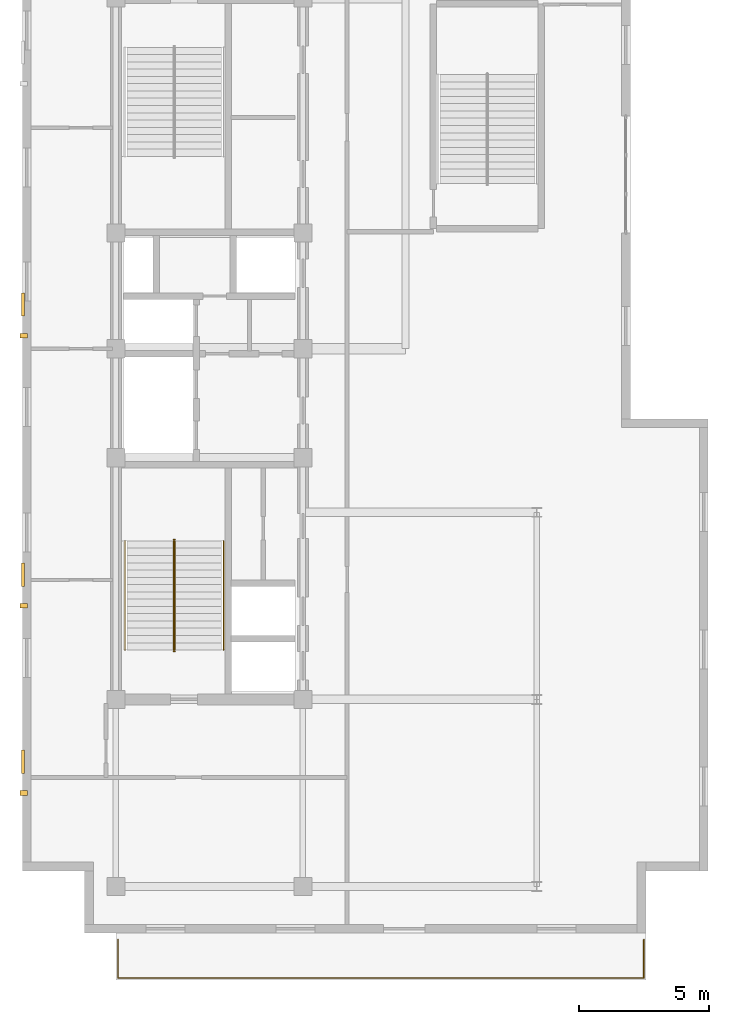
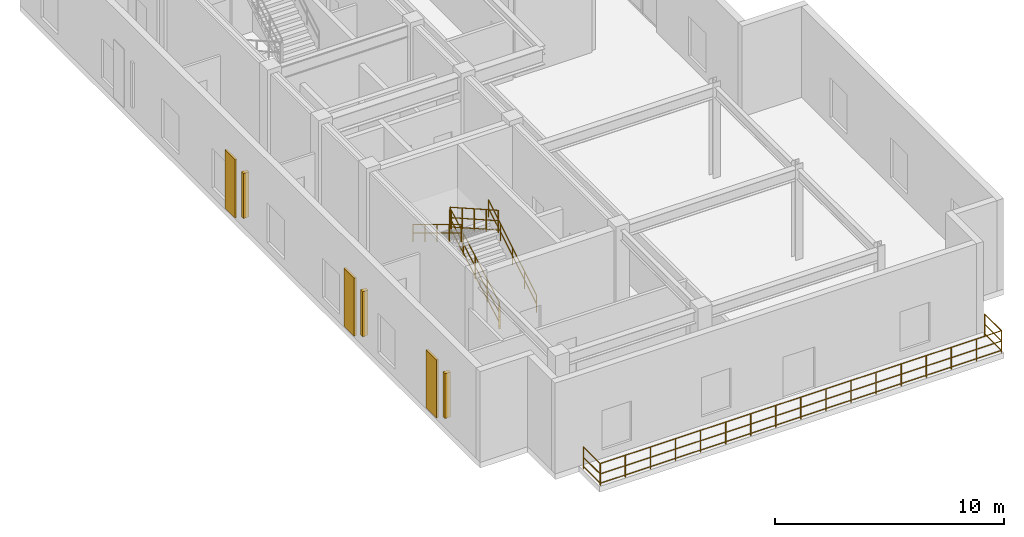
# One storey, part 9 of 10: 9 railings, 3 coverings, 3 shading devices.
"""IFC4 building model written with IfcOpenShell, lengths in metres."""

from ifc_helpers import new_model, entity, si_unit, converted_unit, direction, frame, origin_with_axes, origin_2d_with_axis, place, context, subcontext, project, spatial, rectangle, circle, extrude, material, layer, layer_set, type_object, element, save


model = new_model("IFC4")

# Units and contexts
model_context = context("Model", 3, precision=1e-05, world=origin_with_axes(), true_north=direction((0.0, 1.0)))
body_context = subcontext(model_context, "Body", "Model", "MODEL_VIEW")
ifc_project = project(units=[si_unit("LENGTHUNIT", "METRE"), si_unit("AREAUNIT", "SQUARE_METRE"), si_unit("VOLUMEUNIT", "CUBIC_METRE"), converted_unit("PLANEANGLEUNIT", "DEGREE", entity("IfcPlaneAngleMeasure", 0.017453292519943295), si_unit("PLANEANGLEUNIT", "RADIAN"), dimensions=[0, 0, 0, 0, 0, 0, 0]), si_unit("MASSUNIT", "GRAM", prefix="KILO"), si_unit("THERMODYNAMICTEMPERATUREUNIT", "KELVIN")], contexts=[model_context])

# Site, building, storey
site_placement = place(None, origin_with_axes())
site = spatial("IfcSite", under=ifc_project, at=site_placement, CompositionType="ELEMENT")
building_placement = place(site_placement, origin_with_axes())
building = spatial("IfcBuilding", under=site, at=building_placement, Name="Varnlund Millrace Tower", CompositionType="ELEMENT")
storey_placement = place(building_placement, frame((0.0, 0.0, 303.6), z_axis=(0.0, 0.0, 1.0), x_axis=(1.0, 0.0, 0.0)))
storey = spatial("IfcBuildingStorey", under=building, at=storey_placement, Name="L75", CompositionType="ELEMENT", Elevation=303.6)

# Coverings
ifc_material_1 = material(Name="Precast concrete C50/60", Category="concrete")
ifc_layer = layer(ifc_material_1, 0.11, Name="Precast concrete C50/60")
ifc_layer_set = layer_set([ifc_layer], Name="Precast concrete C50/60")
covering_type = type_object("IfcCoveringType", Name="Type-Cladding-KasotaPier-110", PredefinedType="CLADDING", material=ifc_layer_set)
for number, where, z_axis, x_axis, name in (
    (1, (7.82, 8.4, 0.1), (0.0, 0.0, 1.0), (1.0, 0.0, 0.0), "Type-Cladding-KasotaPier-110"),
    (2, (7.82, 15.6, 0.1), (0.0, 0.0, 1.0), (1.0, 0.0, 0.0), "Type-Cladding-KasotaPier-110"),
    (3, (7.82, 26.0, 0.1), (0.0, 0.0, 1.0), (1.0, 0.0, 0.0), "Type-Cladding-KasotaPier-110"),
):
    element("IfcCovering", number, at=place(storey_placement, frame(where, z_axis=z_axis, x_axis=x_axis)), inside=storey, type_object=covering_type, Name=name, PredefinedType="CLADDING", context=body_context, shape_type="SweptSolid", body=[
        extrude(rectangle(XDim=0.11, YDim=0.9, at=origin_2d_with_axis()), origin_with_axes(), (0.0, 0.0, 1.0), 3.1),
    ])

# Railings
ifc_material_2 = material(Name="Architectural bronze balustrade guard", Category="aluminium")
railing_type_1 = type_object("IfcRailingType", Name="Type-Guard-Perimeter-1150", PredefinedType="BALUSTRADE", material=ifc_material_2)
railing_1_placement = place(storey_placement, frame((0.0, 0.0, -303.6), z_axis=(0.0, 0.0, 1.0), x_axis=(1.0, 0.0, 0.0)))
element("IfcRailing", 4, at=railing_1_placement, inside=storey, type_object=railing_type_1, Name="Type-Guard-Perimeter-1150", PredefinedType="BALUSTRADE", context=body_context, shape_type="SweptSolid", body=[
    extrude(circle(Radius=0.024, at=origin_2d_with_axis()), frame((31.72, 0.08, 304.75), z_axis=(0.0, 1.0, 0.0), x_axis=(-1.0, 0.0, 0.0)), (0.0, 0.0, 1.0), 1.47),
    extrude(circle(Radius=0.024, at=origin_2d_with_axis()), frame((31.72, 0.08, 303.7), z_axis=(0.0, 1.0, 0.0), x_axis=(-1.0, 0.0, 0.0)), (0.0, 0.0, 1.0), 1.47),
    extrude(circle(Radius=0.024, at=origin_2d_with_axis()), frame((31.72, 0.08, 304.198), z_axis=(0.0, 1.0, 0.0), x_axis=(-1.0, 0.0, 0.0)), (0.0, 0.0, 1.0), 1.47),
    extrude(rectangle(XDim=0.04, YDim=0.04, at=origin_2d_with_axis()), frame((31.72, 0.08, 303.56), z_axis=(0.0, 0.0, 1.0), x_axis=(1.0, 0.0, 0.0)), (0.0, 0.0, 1.0), 1.19),
    extrude(rectangle(XDim=0.04, YDim=0.04, at=origin_2d_with_axis()), frame((31.72, 1.55, 303.56), z_axis=(0.0, 0.0, 1.0), x_axis=(1.0, 0.0, 0.0)), (0.0, 0.0, 1.0), 1.19),
])
railing_2_placement = place(storey_placement, frame((0.0, 0.0, -303.6), z_axis=(0.0, 0.0, 1.0), x_axis=(1.0, 0.0, 0.0)))
element("IfcRailing", 5, at=railing_2_placement, inside=storey, type_object=railing_type_1, Name="Type-Guard-Perimeter-1150", PredefinedType="BALUSTRADE", context=body_context, shape_type="SweptSolid", body=[
    extrude(circle(Radius=0.024, at=origin_2d_with_axis()), frame((11.48, 1.55, 304.75), z_axis=(0.0, -1.0, 0.0), x_axis=(1.0, 0.0, 0.0)), (0.0, 0.0, 1.0), 1.47),
    extrude(circle(Radius=0.024, at=origin_2d_with_axis()), frame((11.48, 1.55, 303.7), z_axis=(0.0, -1.0, 0.0), x_axis=(1.0, 0.0, 0.0)), (0.0, 0.0, 1.0), 1.47),
    extrude(circle(Radius=0.024, at=origin_2d_with_axis()), frame((11.48, 1.55, 304.198), z_axis=(0.0, -1.0, 0.0), x_axis=(1.0, 0.0, 0.0)), (0.0, 0.0, 1.0), 1.47),
    extrude(rectangle(XDim=0.04, YDim=0.04, at=origin_2d_with_axis()), frame((11.48, 1.55, 303.56), z_axis=(0.0, 0.0, 1.0), x_axis=(1.0, 0.0, 0.0)), (0.0, 0.0, 1.0), 1.19),
    extrude(rectangle(XDim=0.04, YDim=0.04, at=origin_2d_with_axis()), frame((11.48, 0.08, 303.56), z_axis=(0.0, 0.0, 1.0), x_axis=(1.0, 0.0, 0.0)), (0.0, 0.0, 1.0), 1.19),
])
railing_3_placement = place(storey_placement, frame((0.0, 0.0, -303.6), z_axis=(0.0, 0.0, 1.0), x_axis=(1.0, 0.0, 0.0)))
element("IfcRailing", 6, at=railing_3_placement, inside=storey, type_object=railing_type_1, Name="Type-Guard-Perimeter-1150", PredefinedType="BALUSTRADE", context=body_context, shape_type="SweptSolid", body=[
    extrude(circle(Radius=0.024, at=origin_2d_with_axis()), frame((11.48, 0.08, 304.75), z_axis=(1.0, 0.0, 0.0), x_axis=(0.0, 1.0, 0.0)), (0.0, 0.0, 1.0), 20.24),
    extrude(circle(Radius=0.024, at=origin_2d_with_axis()), frame((11.48, 0.08, 303.7), z_axis=(1.0, 0.0, 0.0), x_axis=(0.0, 1.0, 0.0)), (0.0, 0.0, 1.0), 20.24),
    extrude(circle(Radius=0.024, at=origin_2d_with_axis()), frame((11.48, 0.08, 304.198), z_axis=(1.0, 0.0, 0.0), x_axis=(0.0, 1.0, 0.0)), (0.0, 0.0, 1.0), 20.24),
    extrude(rectangle(XDim=0.04, YDim=0.04, at=origin_2d_with_axis()), frame((11.48, 0.08, 303.56), z_axis=(0.0, 0.0, 1.0), x_axis=(1.0, 0.0, 0.0)), (0.0, 0.0, 1.0), 1.19),
    extrude(rectangle(XDim=0.04, YDim=0.04, at=origin_2d_with_axis()), frame((12.745, 0.08, 303.56), z_axis=(0.0, 0.0, 1.0), x_axis=(1.0, 0.0, 0.0)), (0.0, 0.0, 1.0), 1.19),
    extrude(rectangle(XDim=0.04, YDim=0.04, at=origin_2d_with_axis()), frame((14.01, 0.08, 303.56), z_axis=(0.0, 0.0, 1.0), x_axis=(1.0, 0.0, 0.0)), (0.0, 0.0, 1.0), 1.19),
    extrude(rectangle(XDim=0.04, YDim=0.04, at=origin_2d_with_axis()), frame((15.275, 0.08, 303.56), z_axis=(0.0, 0.0, 1.0), x_axis=(1.0, 0.0, 0.0)), (0.0, 0.0, 1.0), 1.19),
    extrude(rectangle(XDim=0.04, YDim=0.04, at=origin_2d_with_axis()), frame((16.54, 0.08, 303.56), z_axis=(0.0, 0.0, 1.0), x_axis=(1.0, 0.0, 0.0)), (0.0, 0.0, 1.0), 1.19),
    extrude(rectangle(XDim=0.04, YDim=0.04, at=origin_2d_with_axis()), frame((17.805, 0.08, 303.56), z_axis=(0.0, 0.0, 1.0), x_axis=(1.0, 0.0, 0.0)), (0.0, 0.0, 1.0), 1.19),
    extrude(rectangle(XDim=0.04, YDim=0.04, at=origin_2d_with_axis()), frame((19.07, 0.08, 303.56), z_axis=(0.0, 0.0, 1.0), x_axis=(1.0, 0.0, 0.0)), (0.0, 0.0, 1.0), 1.19),
    extrude(rectangle(XDim=0.04, YDim=0.04, at=origin_2d_with_axis()), frame((20.335, 0.08, 303.56), z_axis=(0.0, 0.0, 1.0), x_axis=(1.0, 0.0, 0.0)), (0.0, 0.0, 1.0), 1.19),
    extrude(rectangle(XDim=0.04, YDim=0.04, at=origin_2d_with_axis()), frame((21.6, 0.08, 303.56), z_axis=(0.0, 0.0, 1.0), x_axis=(1.0, 0.0, 0.0)), (0.0, 0.0, 1.0), 1.19),
    extrude(rectangle(XDim=0.04, YDim=0.04, at=origin_2d_with_axis()), frame((22.865, 0.08, 303.56), z_axis=(0.0, 0.0, 1.0), x_axis=(1.0, 0.0, 0.0)), (0.0, 0.0, 1.0), 1.19),
    extrude(rectangle(XDim=0.04, YDim=0.04, at=origin_2d_with_axis()), frame((24.13, 0.08, 303.56), z_axis=(0.0, 0.0, 1.0), x_axis=(1.0, 0.0, 0.0)), (0.0, 0.0, 1.0), 1.19),
    extrude(rectangle(XDim=0.04, YDim=0.04, at=origin_2d_with_axis()), frame((25.395, 0.08, 303.56), z_axis=(0.0, 0.0, 1.0), x_axis=(1.0, 0.0, 0.0)), (0.0, 0.0, 1.0), 1.19),
    extrude(rectangle(XDim=0.04, YDim=0.04, at=origin_2d_with_axis()), frame((26.66, 0.08, 303.56), z_axis=(0.0, 0.0, 1.0), x_axis=(1.0, 0.0, 0.0)), (0.0, 0.0, 1.0), 1.19),
    extrude(rectangle(XDim=0.04, YDim=0.04, at=origin_2d_with_axis()), frame((27.925, 0.08, 303.56), z_axis=(0.0, 0.0, 1.0), x_axis=(1.0, 0.0, 0.0)), (0.0, 0.0, 1.0), 1.19),
    extrude(rectangle(XDim=0.04, YDim=0.04, at=origin_2d_with_axis()), frame((29.19, 0.08, 303.56), z_axis=(0.0, 0.0, 1.0), x_axis=(1.0, 0.0, 0.0)), (0.0, 0.0, 1.0), 1.19),
    extrude(rectangle(XDim=0.04, YDim=0.04, at=origin_2d_with_axis()), frame((30.455, 0.08, 303.56), z_axis=(0.0, 0.0, 1.0), x_axis=(1.0, 0.0, 0.0)), (0.0, 0.0, 1.0), 1.19),
    extrude(rectangle(XDim=0.04, YDim=0.04, at=origin_2d_with_axis()), frame((31.72, 0.08, 303.56), z_axis=(0.0, 0.0, 1.0), x_axis=(1.0, 0.0, 0.0)), (0.0, 0.0, 1.0), 1.19),
])

# Shading devices
ifc_material_3 = material(Name="Architectural bronze fluted spandrel fin", Category="aluminium")
shading_device_type = type_object("IfcShadingDeviceType", Name="Type-Shade-ArtDecoFin", PredefinedType="USERDEFINED", material=ifc_material_3)
for number, where, z_axis, x_axis, name in (
    (7, (7.85, 7.2, 0.6), (0.0, 0.0, 1.0), (1.0, 0.0, 0.0), "Type-Shade-ArtDecoFin"),
    (8, (7.85, 14.4, 0.6), (0.0, 0.0, 1.0), (1.0, 0.0, 0.0), "Type-Shade-ArtDecoFin"),
    (9, (7.85, 24.8, 0.6), (0.0, 0.0, 1.0), (1.0, 0.0, 0.0), "Type-Shade-ArtDecoFin"),
):
    element("IfcShadingDevice", number, at=place(storey_placement, frame(where, z_axis=z_axis, x_axis=x_axis)), inside=storey, type_object=shading_device_type, Name=name, ObjectType="FIN", PredefinedType="USERDEFINED", context=body_context, shape_type="SweptSolid", body=[
        extrude(rectangle(XDim=0.28, YDim=0.18, at=origin_2d_with_axis()), origin_with_axes(), (0.0, 0.0, 1.0), 2.4),
    ])

# Railings
ifc_material_4 = material(Name="Painted steel stair well balustrade guard", Category="steel")
railing_type_2 = type_object("IfcRailingType", Name="Type-StairGuard-1150", PredefinedType="GUARDRAIL", material=ifc_material_4)
railing_4_placement = place(storey_placement, frame((0.0, 0.0, -303.6), z_axis=(0.0, 0.0, 1.0), x_axis=(1.0, 0.0, 0.0)))
element("IfcRailing", 10, at=railing_4_placement, inside=storey, type_object=railing_type_2, Name="Type-StairGuard-1150", PredefinedType="GUARDRAIL", context=body_context, shape_type="SweptSolid", body=[
    extrude(circle(Radius=0.024, at=origin_2d_with_axis()), frame((13.675, 12.7, 304.92), z_axis=(0.0, 0.870022, 0.493013), x_axis=(-1.0, 0.0, 0.0)), (0.0, 0.0, 1.0), 4.827463),
    extrude(circle(Radius=0.024, at=origin_2d_with_axis()), frame((13.675, 12.7, 303.87), z_axis=(0.0, 0.870022, 0.493013), x_axis=(-1.0, 0.0, 0.0)), (0.0, 0.0, 1.0), 4.827463),
    extrude(circle(Radius=0.024, at=origin_2d_with_axis()), frame((13.675, 12.7, 304.368), z_axis=(0.0, 0.870022, 0.493013), x_axis=(-1.0, 0.0, 0.0)), (0.0, 0.0, 1.0), 4.827463),
    extrude(rectangle(XDim=0.04, YDim=0.04, at=origin_2d_with_axis()), frame((13.675, 12.7, 303.73), z_axis=(0.0, 0.0, 1.0), x_axis=(1.0, 0.0, 0.0)), (0.0, 0.0, 1.0), 1.19),
    extrude(rectangle(XDim=0.04, YDim=0.04, at=origin_2d_with_axis()), frame((13.675, 13.75, 304.325), z_axis=(0.0, 0.0, 1.0), x_axis=(1.0, 0.0, 0.0)), (0.0, 0.0, 1.0), 1.19),
    extrude(rectangle(XDim=0.04, YDim=0.04, at=origin_2d_with_axis()), frame((13.675, 14.8, 304.92), z_axis=(0.0, 0.0, 1.0), x_axis=(1.0, 0.0, 0.0)), (0.0, 0.0, 1.0), 1.19),
    extrude(rectangle(XDim=0.04, YDim=0.04, at=origin_2d_with_axis()), frame((13.675, 15.85, 305.515), z_axis=(0.0, 0.0, 1.0), x_axis=(1.0, 0.0, 0.0)), (0.0, 0.0, 1.0), 1.19),
    extrude(rectangle(XDim=0.04, YDim=0.04, at=origin_2d_with_axis()), frame((13.675, 16.9, 306.11), z_axis=(0.0, 0.0, 1.0), x_axis=(1.0, 0.0, 0.0)), (0.0, 0.0, 1.0), 1.19),
])
railing_5_placement = place(storey_placement, frame((0.0, 0.0, -303.6), z_axis=(0.0, 0.0, 1.0), x_axis=(1.0, 0.0, 0.0)))
element("IfcRailing", 11, at=railing_5_placement, inside=storey, type_object=railing_type_2, Name="Type-StairGuard-1150", PredefinedType="GUARDRAIL", context=body_context, shape_type="SweptSolid", body=[
    extrude(circle(Radius=0.024, at=origin_2d_with_axis()), frame((13.625, 16.95, 307.3), z_axis=(1.0, 0.0, 0.0), x_axis=(0.0, 1.0, 0.0)), (0.0, 0.0, 1.0), 0.05),
    extrude(circle(Radius=0.024, at=origin_2d_with_axis()), frame((13.625, 16.95, 306.25), z_axis=(1.0, 0.0, 0.0), x_axis=(0.0, 1.0, 0.0)), (0.0, 0.0, 1.0), 0.05),
    extrude(circle(Radius=0.024, at=origin_2d_with_axis()), frame((13.625, 16.95, 306.748), z_axis=(1.0, 0.0, 0.0), x_axis=(0.0, 1.0, 0.0)), (0.0, 0.0, 1.0), 0.05),
    extrude(rectangle(XDim=0.04, YDim=0.04, at=origin_2d_with_axis()), frame((13.625, 16.95, 306.11), z_axis=(0.0, 0.0, 1.0), x_axis=(1.0, 0.0, 0.0)), (0.0, 0.0, 1.0), 1.19),
    extrude(rectangle(XDim=0.04, YDim=0.04, at=origin_2d_with_axis()), frame((13.675, 16.95, 306.11), z_axis=(0.0, 0.0, 1.0), x_axis=(1.0, 0.0, 0.0)), (0.0, 0.0, 1.0), 1.19),
])
railing_6_placement = place(storey_placement, frame((0.0, 0.0, -303.6), z_axis=(0.0, 0.0, 1.0), x_axis=(1.0, 0.0, 0.0)))
element("IfcRailing", 12, at=railing_6_placement, inside=storey, type_object=railing_type_2, Name="Type-StairGuard-1150", PredefinedType="GUARDRAIL", context=body_context, shape_type="SweptSolid", body=[
    extrude(circle(Radius=0.024, at=origin_2d_with_axis()), frame((13.625, 16.9, 307.47), z_axis=(0.0, -0.870022, 0.493013), x_axis=(1.0, 0.0, 0.0)), (0.0, 0.0, 1.0), 4.827463),
    extrude(circle(Radius=0.024, at=origin_2d_with_axis()), frame((13.625, 16.9, 306.42), z_axis=(0.0, -0.870022, 0.493013), x_axis=(1.0, 0.0, 0.0)), (0.0, 0.0, 1.0), 4.827463),
    extrude(circle(Radius=0.024, at=origin_2d_with_axis()), frame((13.625, 16.9, 306.918), z_axis=(0.0, -0.870022, 0.493013), x_axis=(1.0, 0.0, 0.0)), (0.0, 0.0, 1.0), 4.827463),
    extrude(rectangle(XDim=0.04, YDim=0.04, at=origin_2d_with_axis()), frame((13.625, 16.9, 306.28), z_axis=(0.0, 0.0, 1.0), x_axis=(1.0, 0.0, 0.0)), (0.0, 0.0, 1.0), 1.19),
    extrude(rectangle(XDim=0.04, YDim=0.04, at=origin_2d_with_axis()), frame((13.625, 15.85, 306.875), z_axis=(0.0, 0.0, 1.0), x_axis=(1.0, 0.0, 0.0)), (0.0, 0.0, 1.0), 1.19),
    extrude(rectangle(XDim=0.04, YDim=0.04, at=origin_2d_with_axis()), frame((13.625, 14.8, 307.47), z_axis=(0.0, 0.0, 1.0), x_axis=(1.0, 0.0, 0.0)), (0.0, 0.0, 1.0), 1.19),
    extrude(rectangle(XDim=0.04, YDim=0.04, at=origin_2d_with_axis()), frame((13.625, 13.75, 308.065), z_axis=(0.0, 0.0, 1.0), x_axis=(1.0, 0.0, 0.0)), (0.0, 0.0, 1.0), 1.19),
    extrude(rectangle(XDim=0.04, YDim=0.04, at=origin_2d_with_axis()), frame((13.625, 12.7, 308.66), z_axis=(0.0, 0.0, 1.0), x_axis=(1.0, 0.0, 0.0)), (0.0, 0.0, 1.0), 1.19),
])
railing_7_placement = place(storey_placement, frame((0.0, 0.0, -303.6), z_axis=(0.0, 0.0, 1.0), x_axis=(1.0, 0.0, 0.0)))
element("IfcRailing", 13, at=railing_7_placement, inside=storey, type_object=railing_type_2, Name="Type-StairGuard-1150", PredefinedType="GUARDRAIL", context=body_context, shape_type="SweptSolid", body=[
    extrude(circle(Radius=0.024, at=origin_2d_with_axis()), frame((13.625, 12.65, 304.75), z_axis=(1.0, 0.0, 0.0), x_axis=(0.0, 1.0, 0.0)), (0.0, 0.0, 1.0), 0.05),
    extrude(circle(Radius=0.024, at=origin_2d_with_axis()), frame((13.625, 12.65, 303.7), z_axis=(1.0, 0.0, 0.0), x_axis=(0.0, 1.0, 0.0)), (0.0, 0.0, 1.0), 0.05),
    extrude(circle(Radius=0.024, at=origin_2d_with_axis()), frame((13.625, 12.65, 304.198), z_axis=(1.0, 0.0, 0.0), x_axis=(0.0, 1.0, 0.0)), (0.0, 0.0, 1.0), 0.05),
    extrude(rectangle(XDim=0.04, YDim=0.04, at=origin_2d_with_axis()), frame((13.625, 12.65, 303.56), z_axis=(0.0, 0.0, 1.0), x_axis=(1.0, 0.0, 0.0)), (0.0, 0.0, 1.0), 1.19),
    extrude(rectangle(XDim=0.04, YDim=0.04, at=origin_2d_with_axis()), frame((13.675, 12.65, 303.56), z_axis=(0.0, 0.0, 1.0), x_axis=(1.0, 0.0, 0.0)), (0.0, 0.0, 1.0), 1.19),
])
ifc_material_5 = material(Name="Brushed architectural bronze stair handrail", Category="aluminium")
railing_type_3 = type_object("IfcRailingType", Name="Type-StairHandrail-900", PredefinedType="HANDRAIL", material=ifc_material_5)
railing_8_placement = place(storey_placement, frame((0.0, 0.0, -303.6), z_axis=(0.0, 0.0, 1.0), x_axis=(1.0, 0.0, 0.0)))
element("IfcRailing", 14, at=railing_8_placement, inside=storey, type_object=railing_type_3, Name="Type-StairHandrail-900", PredefinedType="HANDRAIL", context=body_context, shape_type="SweptSolid", body=[
    extrude(circle(Radius=0.024, at=origin_2d_with_axis()), frame((15.55, 12.7, 304.649485), z_axis=(0.0, 0.854788, 0.518978), x_axis=(-1.0, 0.0, 0.0)), (0.0, 0.0, 1.0), 4.913502),
    extrude(circle(Radius=0.024, at=origin_2d_with_axis()), frame((15.55, 12.7, 304.209743), z_axis=(0.0, 0.854788, 0.518978), x_axis=(-1.0, 0.0, 0.0)), (0.0, 0.0, 1.0), 4.913502),
    extrude(rectangle(XDim=0.04, YDim=0.04, at=origin_2d_with_axis()), frame((15.55, 12.7, 303.73), z_axis=(0.0, 0.0, 1.0), x_axis=(1.0, 0.0, 0.0)), (0.0, 0.0, 1.0), 0.919485),
    extrude(rectangle(XDim=0.04, YDim=0.04, at=origin_2d_with_axis()), frame((15.55, 13.75, 304.3675), z_axis=(0.0, 0.0, 1.0), x_axis=(1.0, 0.0, 0.0)), (0.0, 0.0, 1.0), 0.919485),
    extrude(rectangle(XDim=0.04, YDim=0.04, at=origin_2d_with_axis()), frame((15.55, 14.8, 305.005), z_axis=(0.0, 0.0, 1.0), x_axis=(1.0, 0.0, 0.0)), (0.0, 0.0, 1.0), 0.919485),
    extrude(rectangle(XDim=0.04, YDim=0.04, at=origin_2d_with_axis()), frame((15.55, 15.85, 305.6425), z_axis=(0.0, 0.0, 1.0), x_axis=(1.0, 0.0, 0.0)), (0.0, 0.0, 1.0), 0.919485),
    extrude(rectangle(XDim=0.04, YDim=0.04, at=origin_2d_with_axis()), frame((15.55, 16.9, 306.28), z_axis=(0.0, 0.0, 1.0), x_axis=(1.0, 0.0, 0.0)), (0.0, 0.0, 1.0), 0.919485),
])
railing_9_placement = place(storey_placement, frame((0.0, 0.0, -303.6), z_axis=(0.0, 0.0, 1.0), x_axis=(1.0, 0.0, 0.0)))
element("IfcRailing", 15, at=railing_9_placement, inside=storey, type_object=railing_type_3, Name="Type-StairHandrail-900", PredefinedType="HANDRAIL", context=body_context, shape_type="SweptSolid", body=[
    extrude(circle(Radius=0.024, at=origin_2d_with_axis()), frame((11.75, 16.9, 307.199485), z_axis=(0.0, -0.854788, 0.518978), x_axis=(1.0, 0.0, 0.0)), (0.0, 0.0, 1.0), 4.913502),
    extrude(circle(Radius=0.024, at=origin_2d_with_axis()), frame((11.75, 16.9, 306.759743), z_axis=(0.0, -0.854788, 0.518978), x_axis=(1.0, 0.0, 0.0)), (0.0, 0.0, 1.0), 4.913502),
    extrude(rectangle(XDim=0.04, YDim=0.04, at=origin_2d_with_axis()), frame((11.75, 16.9, 306.28), z_axis=(0.0, 0.0, 1.0), x_axis=(1.0, 0.0, 0.0)), (0.0, 0.0, 1.0), 0.919485),
    extrude(rectangle(XDim=0.04, YDim=0.04, at=origin_2d_with_axis()), frame((11.75, 15.85, 306.9175), z_axis=(0.0, 0.0, 1.0), x_axis=(1.0, 0.0, 0.0)), (0.0, 0.0, 1.0), 0.919485),
    extrude(rectangle(XDim=0.04, YDim=0.04, at=origin_2d_with_axis()), frame((11.75, 14.8, 307.555), z_axis=(0.0, 0.0, 1.0), x_axis=(1.0, 0.0, 0.0)), (0.0, 0.0, 1.0), 0.919485),
    extrude(rectangle(XDim=0.04, YDim=0.04, at=origin_2d_with_axis()), frame((11.75, 13.75, 308.1925), z_axis=(0.0, 0.0, 1.0), x_axis=(1.0, 0.0, 0.0)), (0.0, 0.0, 1.0), 0.919485),
    extrude(rectangle(XDim=0.04, YDim=0.04, at=origin_2d_with_axis()), frame((11.75, 12.7, 308.83), z_axis=(0.0, 0.0, 1.0), x_axis=(1.0, 0.0, 0.0)), (0.0, 0.0, 1.0), 0.919485),
])

save(model, "model.ifc")
